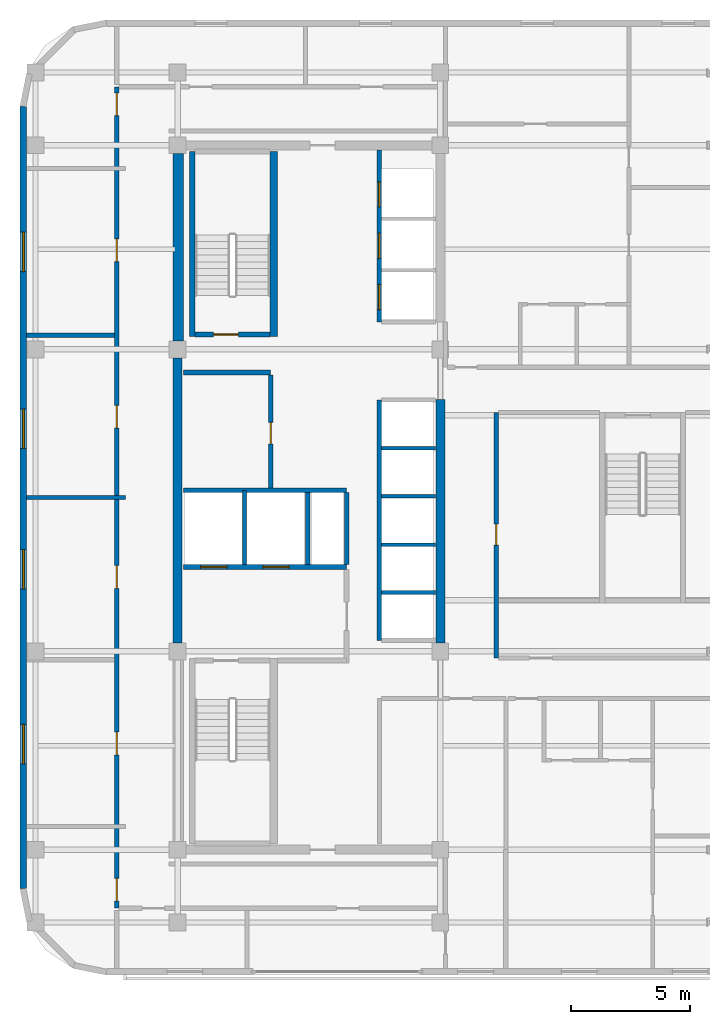
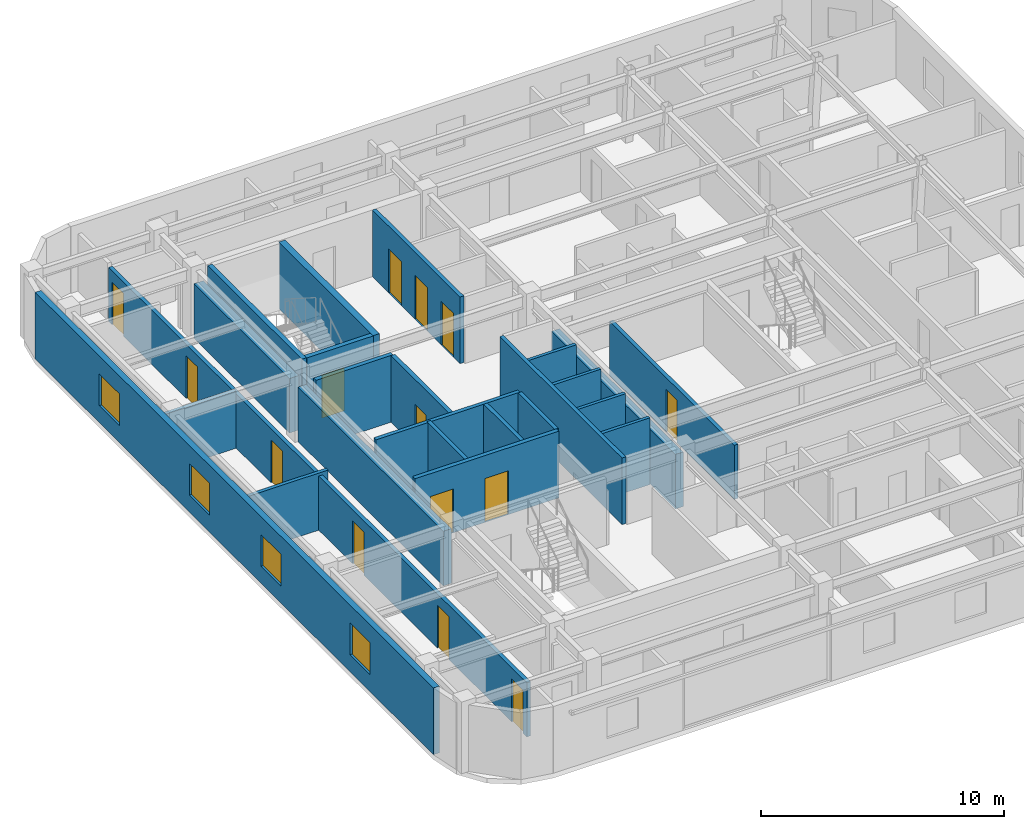
# One storey, part 5 of 11: 24 walls, 14 doors, 4 windows, 18 openings.
"""IFC4 building model written with IfcOpenShell, lengths in metres."""

from ifc_helpers import new_model, si_unit, direction, frame, frame_2d, origin, place, context, subcontext, project, spatial, rectangle, extrude, material, layer, layer_set, type_object, element, fill, save


model = new_model("IFC4")

# Units and contexts
model_context = context("Model", 3, precision=1e-05, world=origin(), true_north=direction((0.0, 1.0)))
body_context = subcontext(model_context, "Body", "Model", "MODEL_VIEW")
ifc_project = project(units=[si_unit("LENGTHUNIT", "METRE"), si_unit("AREAUNIT", "SQUARE_METRE"), si_unit("VOLUMEUNIT", "CUBIC_METRE"), si_unit("PLANEANGLEUNIT", "RADIAN"), si_unit("MASSUNIT", "GRAM", prefix="KILO")], contexts=[model_context])

# Site, building, storey
site_placement = place(None, origin())
site = spatial("IfcSite", under=ifc_project, at=site_placement, CompositionType="ELEMENT")
building_placement = place(site_placement, origin())
building = spatial("IfcBuilding", under=site, at=building_placement, Name="Ochreholt Gables", CompositionType="ELEMENT")
storey_placement = place(building_placement, frame((0.0, 0.0, 188.39990234375)))
storey = spatial("IfcBuildingStorey", under=building, at=storey_placement, Name="L49", CompositionType="ELEMENT", Elevation=188.39990234375)

# Walls
ifc_material_1 = material(Name="Concrete 50 MPa", Category="concrete")
ifc_layer_1 = layer(ifc_material_1, 0.3798828125, Name="Concrete 50 MPa")
ifc_layer_set_1 = layer_set([ifc_layer_1], Name="Concrete 50 MPa")
wall_type_1 = type_object("IfcWallType", Name="WALL-CSW-380", PredefinedType="SHEAR", material=ifc_layer_set_1)
wall_1_placement = place(storey_placement, frame((24.18994140625, 17.89990234375, 0.0), z_axis=(0.0, 0.0, 1.0), x_axis=(0.0, 1.0, 0.0)))
element("IfcWall", 1, at=wall_1_placement, inside=storey, type_object=wall_type_1, Name="L49 Core West Shear Wall WM", PredefinedType="SHEAR", context=body_context, shape_type="SweptSolid", body=[
    extrude(rectangle(XDim=11.9501953125, YDim=0.3798828125, at=frame_2d((5.97509765625, 0.0))), origin(), (0.0, 0.0, 1.0), 2.738037109375),
])
wall_2_placement = place(storey_placement, frame((35.2099609375, 17.89990234375, 0.0), z_axis=(0.0, 0.0, 1.0), x_axis=(0.0, 1.0, 0.0)))
element("IfcWall", 2, at=wall_2_placement, inside=storey, type_object=wall_type_1, Name="L49 Core Central-East Shear Wall", PredefinedType="SHEAR", context=body_context, shape_type="SweptSolid", body=[
    extrude(rectangle(XDim=10.2001953125, YDim=0.3798828125, at=frame_2d((5.10009765625, 0.0))), origin(), (0.0, 0.0, 1.0), 2.738037109375),
])
ifc_material_2 = material(Name="Concrete 60 MPa", Category="concrete")
ifc_layer_2 = layer(ifc_material_2, 0.449951171875, Name="Concrete 60 MPa")
ifc_layer_set_2 = layer_set([ifc_layer_2], Name="Concrete 60 MPa")
wall_type_2 = type_object("IfcWallType", Name="WALL-CSW-450", PredefinedType="SHEAR", material=ifc_layer_set_2)
wall_3_placement = place(storey_placement, frame((24.22509765625, 30.550048828125, 0.0), z_axis=(0.0, 0.0, 1.0), x_axis=(0.0, 1.0, 0.0)))
element("IfcWall", 3, at=wall_3_placement, inside=storey, type_object=wall_type_2, Name="L49 Core West Shear Wall WN", PredefinedType="SHEAR", context=body_context, shape_type="SweptSolid", body=[
    extrude(rectangle(XDim=7.849853515625, YDim=0.449951171875, at=frame_2d((3.9248046875, 0.0))), origin(), (0.0, 0.0, 1.0), 2.738037109375),
])

# Wall, openings, windows
ifc_material_3 = material(Name="Precast concrete 40 MPa", Category="concrete")
ifc_layer_3 = layer(ifc_material_3, 0.280029296875, Name="Precast concrete 40 MPa")
ifc_layer_set_3 = layer_set([ifc_layer_3], Name="Precast concrete 40 MPa")
wall_type_3 = type_object("IfcWallType", Name="WALL-EXT-280", PredefinedType="SOLIDWALL", material=ifc_layer_set_3)
wall_4_placement = place(storey_placement, frame((17.739990234375, 40.3798828125, 0.0), z_axis=(0.0, 0.0, 1.0), x_axis=(0.0, -1.0, 0.0)))
wall_4 = element("IfcWall", 4, at=wall_4_placement, inside=storey, type_object=wall_type_3, Name="L49 West Exterior Wall", PredefinedType="SOLIDWALL", context=body_context, shape_type="SweptSolid", body=[
    extrude(rectangle(XDim=32.759765625, YDim=0.280029296875, at=frame_2d((16.3798828125, 0.0))), origin(), (0.0, 0.0, 1.0), 3.35009765625),
])
opening_1_placement = place(wall_4_placement, frame((25.887451171875, 0.0, 0.85009765625)))
opening_1 = element("IfcOpeningElement", 5, at=opening_1_placement, cuts=wall_4, Name="Opening WN-7", PredefinedType="OPENING", context=body_context, shape_type="SweptSolid", body=[
    extrude(rectangle(XDim=1.64990234375, YDim=1.60009765625, at=frame_2d((0.824951171875, 0.800048828125))), frame((0.0, 0.14990234375, 0.0), z_axis=(0.0, -1.0, 0.0), x_axis=(1.0, 0.0, 0.0)), (0.0, 0.0, 1.0), 0.300048828125),
])
opening_2_placement = place(wall_4_placement, frame((18.56005859375, 0.0, 0.85009765625)))
opening_2 = element("IfcOpeningElement", 6, at=opening_2_placement, cuts=wall_4, Name="Opening WN-7", PredefinedType="OPENING", context=body_context, shape_type="SweptSolid", body=[
    extrude(rectangle(XDim=1.64990234375, YDim=1.60009765625, at=frame_2d((0.824951171875, 0.800048828125))), frame((0.0, 0.14990234375, 0.0), z_axis=(0.0, -1.0, 0.0), x_axis=(1.0, 0.0, 0.0)), (0.0, 0.0, 1.0), 0.300048828125),
])
opening_3_placement = place(wall_4_placement, frame((12.675048828125, 0.0, 0.85009765625)))
opening_3 = element("IfcOpeningElement", 7, at=opening_3_placement, cuts=wall_4, Name="Opening WN-7", PredefinedType="OPENING", context=body_context, shape_type="SweptSolid", body=[
    extrude(rectangle(XDim=1.64990234375, YDim=1.60009765625, at=frame_2d((0.824951171875, 0.800048828125))), frame((0.0, 0.14990234375, 0.0), z_axis=(0.0, -1.0, 0.0), x_axis=(1.0, 0.0, 0.0)), (0.0, 0.0, 1.0), 0.300048828125),
])
opening_4_placement = place(wall_4_placement, frame((5.267578125, 0.0, 0.85009765625)))
opening_4 = element("IfcOpeningElement", 8, at=opening_4_placement, cuts=wall_4, Name="Opening WN-7", PredefinedType="OPENING", context=body_context, shape_type="SweptSolid", body=[
    extrude(rectangle(XDim=1.64990234375, YDim=1.60009765625, at=frame_2d((0.824951171875, 0.800048828125))), frame((0.0, 0.14990234375, 0.0), z_axis=(0.0, -1.0, 0.0), x_axis=(1.0, 0.0, 0.0)), (0.0, 0.0, 1.0), 0.300048828125),
])
ifc_material_4 = material(Name="Triple-Glazed Thermally Broken Aluminium Window", Category="aluminium")
window_type = type_object("IfcWindowType", Name="WIN-RES-1650", PartitioningType="SINGLE_PANEL", PredefinedType="WINDOW", material=ifc_material_4)
window_1_placement = place(opening_1_placement, origin())
window_1 = element("IfcWindow", 9, at=window_1_placement, inside=storey, type_object=window_type, Name="L49 Window W-EXT-W-L49-1", OverallHeight=1.60009765625, OverallWidth=1.64990234375, PartitioningType="SINGLE_PANEL", PredefinedType="WINDOW", context=body_context, shape_type="SweptSolid", body=[
    extrude(rectangle(XDim=1.64990234375, YDim=1.60009765625, at=frame_2d((0.824951171875, 0.800048828125))), frame((0.0, 0.030029296875, 0.0), z_axis=(0.0, -1.0, 0.0), x_axis=(1.0, 0.0, 0.0)), (0.0, 0.0, 1.0), 0.06005859375),
])
fill(opening_1, window_1)
window_2_placement = place(opening_2_placement, origin())
window_2 = element("IfcWindow", 10, at=window_2_placement, inside=storey, type_object=window_type, Name="L49 Window W-EXT-W-L49-2", OverallHeight=1.60009765625, OverallWidth=1.64990234375, PartitioningType="SINGLE_PANEL", PredefinedType="WINDOW", context=body_context, shape_type="SweptSolid", body=[
    extrude(rectangle(XDim=1.64990234375, YDim=1.60009765625, at=frame_2d((0.824951171875, 0.800048828125))), frame((0.0, 0.030029296875, 0.0), z_axis=(0.0, -1.0, 0.0), x_axis=(1.0, 0.0, 0.0)), (0.0, 0.0, 1.0), 0.06005859375),
])
fill(opening_2, window_2)
window_3_placement = place(opening_3_placement, origin())
window_3 = element("IfcWindow", 11, at=window_3_placement, inside=storey, type_object=window_type, Name="L49 Window W-EXT-W-L49-3", OverallHeight=1.60009765625, OverallWidth=1.64990234375, PartitioningType="SINGLE_PANEL", PredefinedType="WINDOW", context=body_context, shape_type="SweptSolid", body=[
    extrude(rectangle(XDim=1.64990234375, YDim=1.60009765625, at=frame_2d((0.824951171875, 0.800048828125))), frame((0.0, 0.030029296875, 0.0), z_axis=(0.0, -1.0, 0.0), x_axis=(1.0, 0.0, 0.0)), (0.0, 0.0, 1.0), 0.06005859375),
])
fill(opening_3, window_3)
window_4_placement = place(opening_4_placement, origin())
window_4 = element("IfcWindow", 12, at=window_4_placement, inside=storey, type_object=window_type, Name="L49 Window W-EXT-W-L49-4", OverallHeight=1.60009765625, OverallWidth=1.64990234375, PartitioningType="SINGLE_PANEL", PredefinedType="WINDOW", context=body_context, shape_type="SweptSolid", body=[
    extrude(rectangle(XDim=1.64990234375, YDim=1.60009765625, at=frame_2d((0.824951171875, 0.800048828125))), frame((0.0, 0.030029296875, 0.0), z_axis=(0.0, -1.0, 0.0), x_axis=(1.0, 0.0, 0.0)), (0.0, 0.0, 1.0), 0.06005859375),
])
fill(opening_4, window_4)

# Wall, openings, doors
ifc_material_5 = material(Name="Concrete 40 MPa", Category="concrete")
ifc_layer_4 = layer(ifc_material_5, 0.199951171875, Name="Concrete 40 MPa")
ifc_layer_set_4 = layer_set([ifc_layer_4], Name="Concrete 40 MPa")
wall_type_4 = type_object("IfcWallType", Name="WALL-INT-CF200", PredefinedType="STANDARD", material=ifc_layer_set_4)
wall_5_placement = place(storey_placement, frame((24.449951171875, 21.090087890625, 0.0), z_axis=(0.0, 0.0, 1.0), x_axis=(1.0, 0.0, 0.0)))
wall_5 = element("IfcWall", 13, at=wall_5_placement, inside=storey, type_object=wall_type_4, Name="L49 Interior Wall WI-FFN-L49", PredefinedType="STANDARD", context=body_context, shape_type="SweptSolid", body=[
    extrude(rectangle(XDim=6.830078125, YDim=0.199951171875, at=frame_2d((3.4150390625, 0.0))), origin(), (0.0, 0.0, 1.0), 3.35009765625),
])
opening_5_placement = place(wall_5_placement, frame((0.719970703125, 0.0, 0.0)))
opening_5 = element("IfcOpeningElement", 14, at=opening_5_placement, cuts=wall_5, Name="Opening LD-FF", PredefinedType="OPENING", context=body_context, shape_type="SweptSolid", body=[
    extrude(rectangle(XDim=1.10009765625, YDim=2.199951171875, at=frame_2d((0.550048828125, 1.10009765625))), frame((0.0, 0.10986328125, 0.0), z_axis=(0.0, -1.0, 0.0), x_axis=(1.0, 0.0, 0.0)), (0.0, 0.0, 1.0), 0.219970703125),
])
opening_6_placement = place(wall_5_placement, frame((3.320068359375, 0.0, 0.0)))
opening_6 = element("IfcOpeningElement", 15, at=opening_6_placement, cuts=wall_5, Name="Opening LD-FF", PredefinedType="OPENING", context=body_context, shape_type="SweptSolid", body=[
    extrude(rectangle(XDim=1.10009765625, YDim=2.199951171875, at=frame_2d((0.550048828125, 1.10009765625))), frame((0.0, 0.10986328125, 0.0), z_axis=(0.0, -1.0, 0.0), x_axis=(1.0, 0.0, 0.0)), (0.0, 0.0, 1.0), 0.219970703125),
])
ifc_material_6 = material(Name="Stainless Steel", Category="steel")
door_type_1 = type_object("IfcDoorType", Name="DR-LFT-FF1100", OperationType="NOTDEFINED", PredefinedType="DOOR", material=ifc_material_6)
door_1_placement = place(opening_5_placement, origin())
door_1 = element("IfcDoor", 16, at=door_1_placement, inside=storey, type_object=door_type_1, Name="L49 Door LD-FF1-L49", OperationType="SLIDING_TO_LEFT", OverallHeight=2.199951171875, OverallWidth=1.10009765625, PredefinedType="DOOR", context=body_context, shape_type="SweptSolid", body=[
    extrude(rectangle(XDim=1.10009765625, YDim=2.199951171875, at=frame_2d((0.550048828125, 1.10009765625))), frame((0.0, 0.02490234375, 0.0), z_axis=(0.0, -1.0, 0.0), x_axis=(1.0, 0.0, 0.0)), (0.0, 0.0, 1.0), 0.050048828125),
])
fill(opening_5, door_1)
door_2_placement = place(opening_6_placement, origin())
door_2 = element("IfcDoor", 17, at=door_2_placement, inside=storey, type_object=door_type_1, Name="L49 Door LD-FF2-L49", OperationType="SLIDING_TO_LEFT", OverallHeight=2.199951171875, OverallWidth=1.10009765625, PredefinedType="DOOR", context=body_context, shape_type="SweptSolid", body=[
    extrude(rectangle(XDim=1.10009765625, YDim=2.199951171875, at=frame_2d((0.550048828125, 1.10009765625))), frame((0.0, 0.02490234375, 0.0), z_axis=(0.0, -1.0, 0.0), x_axis=(1.0, 0.0, 0.0)), (0.0, 0.0, 1.0), 0.050048828125),
])
fill(opening_6, door_2)

# Wall
wall_6_placement = place(storey_placement, frame((24.449951171875, 29.239990234375, 0.0), z_axis=(0.0, 0.0, 1.0), x_axis=(1.0, 0.0, 0.0)))
element("IfcWall", 18, at=wall_6_placement, inside=storey, type_object=wall_type_4, Name="L49 Interior Wall WI-SRVN-L49", PredefinedType="STANDARD", context=body_context, shape_type="SweptSolid", body=[
    extrude(rectangle(XDim=3.650146484375, YDim=0.199951171875, at=frame_2d((1.8251953125, 0.0))), origin(), (0.0, 0.0, 1.0), 3.35009765625),
])

# Wall, opening, door
wall_7_placement = place(storey_placement, frame((28.10009765625, 24.389892578125, 0.0), z_axis=(0.0, 0.0, 1.0), x_axis=(0.0, 1.0, 0.0)))
wall_7 = element("IfcWall", 19, at=wall_7_placement, inside=storey, type_object=wall_type_4, Name="L49 Interior Wall WI-SRVE-L49", PredefinedType="STANDARD", context=body_context, shape_type="SweptSolid", body=[
    extrude(rectangle(XDim=4.75, YDim=0.199951171875, at=frame_2d((2.375, 0.0))), origin(), (0.0, 0.0, 1.0), 3.35009765625),
])
opening_7_placement = place(wall_7_placement, frame((1.860107421875, 0.0, 0.0)))
opening_7 = element("IfcOpeningElement", 20, at=opening_7_placement, cuts=wall_7, Name="Opening D-SV1", PredefinedType="OPENING", context=body_context, shape_type="SweptSolid", body=[
    extrude(rectangle(XDim=0.89990234375, YDim=2.10009765625, at=frame_2d((0.449951171875, 1.050048828125))), frame((0.0, 0.10986328125, 0.0), z_axis=(0.0, -1.0, 0.0), x_axis=(1.0, 0.0, 0.0)), (0.0, 0.0, 1.0), 0.219970703125),
])
ifc_material_7 = material(Name="Hollow Metal Steel", Category="steel")
door_type_2 = type_object("IfcDoorType", Name="DR-INT-SRV900", OperationType="NOTDEFINED", PredefinedType="DOOR", material=ifc_material_7)
door_3_placement = place(opening_7_placement, origin())
door_3 = element("IfcDoor", 21, at=door_3_placement, inside=storey, type_object=door_type_2, Name="L49 Door D-SRV1-L49", OperationType="SINGLE_SWING_LEFT", OverallHeight=2.10009765625, OverallWidth=0.89990234375, PredefinedType="DOOR", context=body_context, shape_type="SweptSolid", body=[
    extrude(rectangle(XDim=0.89990234375, YDim=2.10009765625, at=frame_2d((0.449951171875, 1.050048828125))), frame((0.0, 0.02490234375, 0.0), z_axis=(0.0, -1.0, 0.0), x_axis=(1.0, 0.0, 0.0)), (0.0, 0.0, 1.0), 0.050048828125),
])
fill(opening_7, door_3)

ifc_material_8 = material(Name="Fire-Rated Gypsum Acoustic Partition", Category="gypsum")
ifc_layer_5 = layer(ifc_material_8, 0.179931640625, Name="Fire-Rated Gypsum Acoustic Partition")
ifc_layer_set_5 = layer_set([ifc_layer_5], Name="Fire-Rated Gypsum Acoustic Partition")
wall_type_5 = type_object("IfcWallType", Name="WALL-INT-CR180", PredefinedType="STANDARD", material=ifc_layer_set_5)
wall_8_placement = place(storey_placement, frame((37.550048828125, 17.280029296875, 0.0), z_axis=(0.0, 0.0, 1.0), x_axis=(0.0, 1.0, 0.0)))
wall_8 = element("IfcWall", 22, at=wall_8_placement, inside=storey, type_object=wall_type_5, Name="L49 Interior Wall WI-C2EM-L49", PredefinedType="STANDARD", context=body_context, shape_type="SweptSolid", body=[
    extrude(rectangle(XDim=10.280029296875, YDim=0.179931640625, at=frame_2d((5.14013671875, 0.0))), origin(), (0.0, 0.0, 1.0), 2.72021484375),
])
opening_8_placement = place(wall_8_placement, frame((4.719970703125, 0.0, 0.0)))
opening_8 = element("IfcOpeningElement", 23, at=opening_8_placement, cuts=wall_8, Name="Opening D-GN2", PredefinedType="OPENING", context=body_context, shape_type="SweptSolid", body=[
    extrude(rectangle(XDim=0.8798828125, YDim=2.1201171875, at=frame_2d((0.43994140625, 1.06005859375))), frame((0.0, 0.099853515625, 0.0), z_axis=(0.0, -1.0, 0.0), x_axis=(1.0, 0.0, 0.0)), (0.0, 0.0, 1.0), 0.199951171875),
])
ifc_material_9 = material(Name="Engineered Oak Timber", Category="wood")
door_type_3 = type_object("IfcDoorType", Name="DR-INT-GEN880", OperationType="NOTDEFINED", PredefinedType="DOOR", material=ifc_material_9)
door_4_placement = place(opening_8_placement, origin())
door_4 = element("IfcDoor", 24, at=door_4_placement, inside=storey, type_object=door_type_3, Name="L49 Door D-C2FMW-L49", OperationType="SINGLE_SWING_RIGHT", OverallHeight=2.1201171875, OverallWidth=0.8798828125, PredefinedType="DOOR", context=body_context, shape_type="SweptSolid", body=[
    extrude(rectangle(XDim=0.8798828125, YDim=2.1201171875, at=frame_2d((0.43994140625, 1.06005859375))), frame((0.0, 0.02490234375, 0.0), z_axis=(0.0, -1.0, 0.0), x_axis=(1.0, 0.0, 0.0)), (0.0, 0.0, 1.0), 0.050048828125),
])
fill(opening_8, door_4)

# Wall, openings, doors
wall_9_placement = place(storey_placement, frame((21.64990234375, 6.800048828125, 0.0), z_axis=(0.0, 0.0, 1.0), x_axis=(0.0, 1.0, 0.0)))
wall_9 = element("IfcWall", 25, at=wall_9_placement, inside=storey, type_object=wall_type_5, Name="L49 Interior Wall WI-C2WCW-L49", PredefinedType="STANDARD", context=body_context, shape_type="SweptSolid", body=[
    extrude(rectangle(XDim=34.39990234375, YDim=0.179931640625, at=frame_2d((17.199951171875, 0.0))), origin(), (0.0, 0.0, 1.0), 2.72021484375),
])
opening_9_placement = place(wall_9_placement, frame((0.300048828125, 0.0, 0.0)))
opening_9 = element("IfcOpeningElement", 26, at=opening_9_placement, cuts=wall_9, Name="Opening D-GN1", PredefinedType="OPENING", context=body_context, shape_type="SweptSolid", body=[
    extrude(rectangle(XDim=0.949951171875, YDim=2.14990234375, at=frame_2d((0.47509765625, 1.074951171875))), frame((0.0, 0.099853515625, 0.0), z_axis=(0.0, -1.0, 0.0), x_axis=(1.0, 0.0, 0.0)), (0.0, 0.0, 1.0), 0.199951171875),
])
opening_10_placement = place(wall_9_placement, frame((6.41748046875, 0.0, 0.0)))
opening_10 = element("IfcOpeningElement", 27, at=opening_10_placement, cuts=wall_9, Name="Opening D-GN1", PredefinedType="OPENING", context=body_context, shape_type="SweptSolid", body=[
    extrude(rectangle(XDim=0.949951171875, YDim=2.14990234375, at=frame_2d((0.47509765625, 1.074951171875))), frame((0.0, 0.099853515625, 0.0), z_axis=(0.0, -1.0, 0.0), x_axis=(1.0, 0.0, 0.0)), (0.0, 0.0, 1.0), 0.199951171875),
])
opening_11_placement = place(wall_9_placement, frame((13.39501953125, 0.0, 0.0)))
opening_11 = element("IfcOpeningElement", 28, at=opening_11_placement, cuts=wall_9, Name="Opening D-GN1", PredefinedType="OPENING", context=body_context, shape_type="SweptSolid", body=[
    extrude(rectangle(XDim=0.949951171875, YDim=2.14990234375, at=frame_2d((0.47509765625, 1.074951171875))), frame((0.0, 0.099853515625, 0.0), z_axis=(0.0, -1.0, 0.0), x_axis=(1.0, 0.0, 0.0)), (0.0, 0.0, 1.0), 0.199951171875),
])
opening_12_placement = place(wall_9_placement, frame((20.10498046875, 0.0, 0.0)))
opening_12 = element("IfcOpeningElement", 29, at=opening_12_placement, cuts=wall_9, Name="Opening D-GN1", PredefinedType="OPENING", context=body_context, shape_type="SweptSolid", body=[
    extrude(rectangle(XDim=0.949951171875, YDim=2.14990234375, at=frame_2d((0.47509765625, 1.074951171875))), frame((0.0, 0.099853515625, 0.0), z_axis=(0.0, -1.0, 0.0), x_axis=(1.0, 0.0, 0.0)), (0.0, 0.0, 1.0), 0.199951171875),
])
opening_13_placement = place(wall_9_placement, frame((27.08251953125, 0.0, 0.0)))
opening_13 = element("IfcOpeningElement", 30, at=opening_13_placement, cuts=wall_9, Name="Opening D-GN1", PredefinedType="OPENING", context=body_context, shape_type="SweptSolid", body=[
    extrude(rectangle(XDim=0.949951171875, YDim=2.14990234375, at=frame_2d((0.47509765625, 1.074951171875))), frame((0.0, 0.099853515625, 0.0), z_axis=(0.0, -1.0, 0.0), x_axis=(1.0, 0.0, 0.0)), (0.0, 0.0, 1.0), 0.199951171875),
])
opening_14_placement = place(wall_9_placement, frame((33.18994140625, 0.0, 0.0)))
opening_14 = element("IfcOpeningElement", 31, at=opening_14_placement, cuts=wall_9, Name="Opening D-GN1", PredefinedType="OPENING", context=body_context, shape_type="SweptSolid", body=[
    extrude(rectangle(XDim=0.949951171875, YDim=2.14990234375, at=frame_2d((0.47509765625, 1.074951171875))), frame((0.0, 0.099853515625, 0.0), z_axis=(0.0, -1.0, 0.0), x_axis=(1.0, 0.0, 0.0)), (0.0, 0.0, 1.0), 0.199951171875),
])
door_type_4 = type_object("IfcDoorType", Name="DR-INT-GEN950", OperationType="NOTDEFINED", PredefinedType="DOOR", material=ifc_material_9)
door_5_placement = place(opening_9_placement, origin())
door_5 = element("IfcDoor", 32, at=door_5_placement, inside=storey, type_object=door_type_4, Name="L49 Door D-U-L49W1A-ENT", OperationType="SINGLE_SWING_LEFT", OverallHeight=2.14990234375, OverallWidth=0.949951171875, PredefinedType="DOOR", context=body_context, shape_type="SweptSolid", body=[
    extrude(rectangle(XDim=0.949951171875, YDim=2.14990234375, at=frame_2d((0.47509765625, 1.074951171875))), frame((0.0, 0.02490234375, 0.0), z_axis=(0.0, -1.0, 0.0), x_axis=(1.0, 0.0, 0.0)), (0.0, 0.0, 1.0), 0.050048828125),
])
fill(opening_9, door_5)
door_6_placement = place(opening_10_placement, origin())
door_6 = element("IfcDoor", 33, at=door_6_placement, inside=storey, type_object=door_type_4, Name="L49 Door D-U-L49W1B-ENT", OperationType="SINGLE_SWING_RIGHT", OverallHeight=2.14990234375, OverallWidth=0.949951171875, PredefinedType="DOOR", context=body_context, shape_type="SweptSolid", body=[
    extrude(rectangle(XDim=0.949951171875, YDim=2.14990234375, at=frame_2d((0.47509765625, 1.074951171875))), frame((0.0, 0.02490234375, 0.0), z_axis=(0.0, -1.0, 0.0), x_axis=(1.0, 0.0, 0.0)), (0.0, 0.0, 1.0), 0.050048828125),
])
fill(opening_10, door_6)
door_7_placement = place(opening_11_placement, origin())
door_7 = element("IfcDoor", 34, at=door_7_placement, inside=storey, type_object=door_type_4, Name="L49 Door D-U-L49W2A-ENT", OperationType="SINGLE_SWING_RIGHT", OverallHeight=2.14990234375, OverallWidth=0.949951171875, PredefinedType="DOOR", context=body_context, shape_type="SweptSolid", body=[
    extrude(rectangle(XDim=0.949951171875, YDim=2.14990234375, at=frame_2d((0.47509765625, 1.074951171875))), frame((0.0, 0.02490234375, 0.0), z_axis=(0.0, -1.0, 0.0), x_axis=(1.0, 0.0, 0.0)), (0.0, 0.0, 1.0), 0.050048828125),
])
fill(opening_11, door_7)
door_8_placement = place(opening_12_placement, origin())
door_8 = element("IfcDoor", 35, at=door_8_placement, inside=storey, type_object=door_type_4, Name="L49 Door D-U-L49W2B-ENT", OperationType="SINGLE_SWING_LEFT", OverallHeight=2.14990234375, OverallWidth=0.949951171875, PredefinedType="DOOR", context=body_context, shape_type="SweptSolid", body=[
    extrude(rectangle(XDim=0.949951171875, YDim=2.14990234375, at=frame_2d((0.47509765625, 1.074951171875))), frame((0.0, 0.02490234375, 0.0), z_axis=(0.0, -1.0, 0.0), x_axis=(1.0, 0.0, 0.0)), (0.0, 0.0, 1.0), 0.050048828125),
])
fill(opening_12, door_8)
door_9_placement = place(opening_13_placement, origin())
door_9 = element("IfcDoor", 36, at=door_9_placement, inside=storey, type_object=door_type_4, Name="L49 Door D-U-L49W3A-ENT", OperationType="SINGLE_SWING_LEFT", OverallHeight=2.14990234375, OverallWidth=0.949951171875, PredefinedType="DOOR", context=body_context, shape_type="SweptSolid", body=[
    extrude(rectangle(XDim=0.949951171875, YDim=2.14990234375, at=frame_2d((0.47509765625, 1.074951171875))), frame((0.0, 0.02490234375, 0.0), z_axis=(0.0, -1.0, 0.0), x_axis=(1.0, 0.0, 0.0)), (0.0, 0.0, 1.0), 0.050048828125),
])
fill(opening_13, door_9)
door_10_placement = place(opening_14_placement, origin())
door_10 = element("IfcDoor", 37, at=door_10_placement, inside=storey, type_object=door_type_4, Name="L49 Door D-U-L49W3B-ENT", OperationType="SINGLE_SWING_RIGHT", OverallHeight=2.14990234375, OverallWidth=0.949951171875, PredefinedType="DOOR", context=body_context, shape_type="SweptSolid", body=[
    extrude(rectangle(XDim=0.949951171875, YDim=2.14990234375, at=frame_2d((0.47509765625, 1.074951171875))), frame((0.0, 0.02490234375, 0.0), z_axis=(0.0, -1.0, 0.0), x_axis=(1.0, 0.0, 0.0)), (0.0, 0.0, 1.0), 0.050048828125),
])
fill(opening_14, door_10)

# Walls
ifc_material_10 = material(Name="Double-Stud Acoustic Demising Wall", Category="gypsum")
ifc_layer_6 = layer(ifc_material_10, 0.179931640625, Name="Double-Stud Acoustic Demising Wall")
ifc_layer_set_6 = layer_set([ifc_layer_6], Name="Double-Stud Acoustic Demising Wall")
wall_type_6 = type_object("IfcWallType", Name="WALL-INT-DM180", PredefinedType="PARTITIONING", material=ifc_layer_set_6)
wall_10_placement = place(storey_placement, frame((17.8798828125, 30.800048828125, 0.0), z_axis=(0.0, 0.0, 1.0), x_axis=(1.0, 0.0, 0.0)))
element("IfcWall", 38, at=wall_10_placement, inside=storey, type_object=wall_type_6, Name="L49 Interior Wall WI-C2UDW3-L49", PredefinedType="PARTITIONING", context=body_context, shape_type="SweptSolid", body=[
    extrude(rectangle(XDim=3.68017578125, YDim=0.179931640625, at=frame_2d((1.840087890625, 0.0))), origin(), (0.0, 0.0, 1.0), 2.869140625),
])
ifc_material_11 = material(Name="Gypsum Acoustic Stud Partition", Category="gypsum")
ifc_layer_7 = layer(ifc_material_11, 0.1650390625, Name="Gypsum Acoustic Stud Partition")
ifc_layer_set_7 = layer_set([ifc_layer_7], Name="Gypsum Acoustic Stud Partition")
wall_type_7 = type_object("IfcWallType", Name="WALL-INT-PT165", PredefinedType="PARTITIONING", material=ifc_layer_set_7)
wall_11_placement = place(storey_placement, frame((17.8798828125, 24.0, 0.0), z_axis=(0.0, 0.0, 1.0), x_axis=(1.0, 0.0, 0.0)))
element("IfcWall", 39, at=wall_11_placement, inside=storey, type_object=wall_type_7, Name="L49 Interior Wall WU-L49W2-SDV", PredefinedType="PARTITIONING", context=body_context, shape_type="SweptSolid", body=[
    extrude(rectangle(XDim=4.130126953125, YDim=0.1650390625, at=frame_2d((2.06494140625, 0.0))), origin(), (0.0, 0.0, 1.0), 2.869140625),
])
ifc_material_12 = material(Name="Gypsum Shaftliner and Steel Stud", Category="steel")
ifc_layer_8 = layer(ifc_material_12, 0.14990234375, Name="Gypsum Shaftliner and Steel Stud")
ifc_layer_set_8 = layer_set([ifc_layer_8], Name="Gypsum Shaftliner and Steel Stud")
wall_type_8 = type_object("IfcWallType", Name="WALL-INT-SH150", PredefinedType="STANDARD", material=ifc_layer_set_8)
for number, where, z_axis, x_axis, name in (
    (40, (32.739990234375, 20.02001953125, 0.0), (0.0, 0.0, 1.0), (1.0, 0.0, 0.0), "L49 Interior Wall WI-LFHE-DH1-L49"),
    (41, (32.739990234375, 22.02001953125, 0.0), (0.0, 0.0, 1.0), (1.0, 0.0, 0.0), "L49 Interior Wall WI-LFHE-DH2-L49"),
    (42, (32.739990234375, 24.050048828125, 0.0), (0.0, 0.0, 1.0), (1.0, 0.0, 0.0), "L49 Interior Wall WI-LFHE-DHE-L49"),
    (43, (32.739990234375, 26.070068359375, 0.0), (0.0, 0.0, 1.0), (1.0, 0.0, 0.0), "L49 Interior Wall WI-LFHE-DEX1-L49"),
):
    element("IfcWall", number, at=place(storey_placement, frame(where, z_axis=z_axis, x_axis=x_axis)), inside=storey, type_object=wall_type_8, Name=name, PredefinedType="STANDARD", context=body_context, shape_type="SweptSolid", body=[
        extrude(rectangle(XDim=2.260009765625, YDim=0.14990234375, at=frame_2d((1.1298828125, 0.0))), origin(), (0.0, 0.0, 1.0), 3.35009765625),
    ])
ifc_layer_9 = layer(ifc_material_12, 0.179931640625, Name="Gypsum Shaftliner and Steel Stud")
ifc_layer_set_9 = layer_set([ifc_layer_9], Name="Gypsum Shaftliner and Steel Stud")
wall_type_9 = type_object("IfcWallType", Name="WALL-INT-SH180", PredefinedType="STANDARD", material=ifc_layer_set_9)
wall_12_placement = place(storey_placement, frame((27.0, 21.18994140625, 0.0), z_axis=(0.0, 0.0, 1.0), x_axis=(0.0, 1.0, 0.0)))
element("IfcWall", 44, at=wall_12_placement, inside=storey, type_object=wall_type_9, Name="L49 Interior Wall WI-FFDIV-L49", PredefinedType="STANDARD", context=body_context, shape_type="SweptSolid", body=[
    extrude(rectangle(XDim=3.110107421875, YDim=0.179931640625, at=frame_2d((1.55517578125, 0.0))), origin(), (0.0, 0.0, 1.0), 3.35009765625),
])
wall_13_placement = place(storey_placement, frame((24.449951171875, 24.300048828125, 0.0), z_axis=(0.0, 0.0, 1.0), x_axis=(1.0, 0.0, 0.0)))
element("IfcWall", 45, at=wall_13_placement, inside=storey, type_object=wall_type_9, Name="L49 Interior Wall WI-FFBK-L49", PredefinedType="STANDARD", context=body_context, shape_type="SweptSolid", body=[
    extrude(rectangle(XDim=6.830078125, YDim=0.179931640625, at=frame_2d((3.4150390625, 0.0))), origin(), (0.0, 0.0, 1.0), 3.35009765625),
])
for number, where, z_axis, x_axis, name in (
    (46, (29.64990234375, 21.18994140625, 0.0), (0.0, 0.0, 1.0), (0.0, 1.0, 0.0), "L49 Interior Wall WI-FFSH-L49"),
    (47, (31.280029296875, 21.18994140625, 0.0), (0.0, 0.0, 1.0), (0.0, 1.0, 0.0), "L49 Interior Wall WI-RSE-L49"),
):
    element("IfcWall", number, at=place(storey_placement, frame(where, z_axis=z_axis, x_axis=x_axis)), inside=storey, type_object=wall_type_9, Name=name, PredefinedType="STANDARD", context=body_context, shape_type="SweptSolid", body=[
        extrude(rectangle(XDim=3.02001953125, YDim=0.179931640625, at=frame_2d((1.510009765625, 0.0))), origin(), (0.0, 0.0, 1.0), 3.35009765625),
    ])
wall_14_placement = place(storey_placement, frame((32.64990234375, 18.02001953125, 0.0), z_axis=(0.0, 0.0, 1.0), x_axis=(0.0, 1.0, 0.0)))
element("IfcWall", 48, at=wall_14_placement, inside=storey, type_object=wall_type_9, Name="L49 Interior Wall WI-LFHE-FR-L49", PredefinedType="STANDARD", context=body_context, shape_type="SweptSolid", body=[
    extrude(rectangle(XDim=10.06005859375, YDim=0.179931640625, at=frame_2d((5.030029296875, 0.0))), origin(), (0.0, 0.0, 1.0), 3.35009765625),
])

# Wall, openings, doors
wall_15_placement = place(storey_placement, frame((32.64990234375, 31.35009765625, 0.0), z_axis=(0.0, 0.0, 1.0), x_axis=(0.0, 1.0, 0.0)))
wall_15 = element("IfcWall", 49, at=wall_15_placement, inside=storey, type_object=wall_type_9, Name="L49 Interior Wall WI-LFM-FR-L49", PredefinedType="STANDARD", context=body_context, shape_type="SweptSolid", body=[
    extrude(rectangle(XDim=7.2099609375, YDim=0.179931640625, at=frame_2d((3.60498046875, 0.0))), origin(), (0.0, 0.0, 1.0), 3.35009765625),
])
opening_15_placement = place(wall_15_placement, frame((0.52001953125, 0.0, 0.0)))
opening_15 = element("IfcOpeningElement", 50, at=opening_15_placement, cuts=wall_15, Name="Opening LD-PX", PredefinedType="OPENING", context=body_context, shape_type="SweptSolid", body=[
    extrude(rectangle(XDim=1.050048828125, YDim=2.199951171875, at=frame_2d((0.52490234375, 1.10009765625))), frame((0.0, 0.099853515625, 0.0), z_axis=(0.0, -1.0, 0.0), x_axis=(1.0, 0.0, 0.0)), (0.0, 0.0, 1.0), 0.199951171875),
])
opening_16_placement = place(wall_15_placement, frame((2.669921875, 0.0, 0.0)))
opening_16 = element("IfcOpeningElement", 51, at=opening_16_placement, cuts=wall_15, Name="Opening LD-PX", PredefinedType="OPENING", context=body_context, shape_type="SweptSolid", body=[
    extrude(rectangle(XDim=1.050048828125, YDim=2.199951171875, at=frame_2d((0.52490234375, 1.10009765625))), frame((0.0, 0.099853515625, 0.0), z_axis=(0.0, -1.0, 0.0), x_axis=(1.0, 0.0, 0.0)), (0.0, 0.0, 1.0), 0.199951171875),
])
opening_17_placement = place(wall_15_placement, frame((4.820068359375, 0.0, 0.0)))
opening_17 = element("IfcOpeningElement", 52, at=opening_17_placement, cuts=wall_15, Name="Opening LD-PX", PredefinedType="OPENING", context=body_context, shape_type="SweptSolid", body=[
    extrude(rectangle(XDim=1.050048828125, YDim=2.199951171875, at=frame_2d((0.52490234375, 1.10009765625))), frame((0.0, 0.099853515625, 0.0), z_axis=(0.0, -1.0, 0.0), x_axis=(1.0, 0.0, 0.0)), (0.0, 0.0, 1.0), 0.199951171875),
])
door_type_5 = type_object("IfcDoorType", Name="DR-LFT-PX1050", OperationType="NOTDEFINED", PredefinedType="DOOR", material=ifc_material_6)
door_11_placement = place(opening_15_placement, origin())
door_11 = element("IfcDoor", 53, at=door_11_placement, inside=storey, type_object=door_type_5, Name="L49 Door LD-M1-L49", OperationType="SLIDING_TO_LEFT", OverallHeight=2.199951171875, OverallWidth=1.050048828125, PredefinedType="DOOR", context=body_context, shape_type="SweptSolid", body=[
    extrude(rectangle(XDim=1.050048828125, YDim=2.199951171875, at=frame_2d((0.52490234375, 1.10009765625))), frame((0.0, 0.02490234375, 0.0), z_axis=(0.0, -1.0, 0.0), x_axis=(1.0, 0.0, 0.0)), (0.0, 0.0, 1.0), 0.050048828125),
])
fill(opening_15, door_11)
door_12_placement = place(opening_16_placement, origin())
door_12 = element("IfcDoor", 54, at=door_12_placement, inside=storey, type_object=door_type_5, Name="L49 Door LD-M2-L49", OperationType="SLIDING_TO_LEFT", OverallHeight=2.199951171875, OverallWidth=1.050048828125, PredefinedType="DOOR", context=body_context, shape_type="SweptSolid", body=[
    extrude(rectangle(XDim=1.050048828125, YDim=2.199951171875, at=frame_2d((0.52490234375, 1.10009765625))), frame((0.0, 0.02490234375, 0.0), z_axis=(0.0, -1.0, 0.0), x_axis=(1.0, 0.0, 0.0)), (0.0, 0.0, 1.0), 0.050048828125),
])
fill(opening_16, door_12)
door_13_placement = place(opening_17_placement, origin())
door_13 = element("IfcDoor", 55, at=door_13_placement, inside=storey, type_object=door_type_5, Name="L49 Door LD-M3-L49", OperationType="SLIDING_TO_LEFT", OverallHeight=2.199951171875, OverallWidth=1.050048828125, PredefinedType="DOOR", context=body_context, shape_type="SweptSolid", body=[
    extrude(rectangle(XDim=1.050048828125, YDim=2.199951171875, at=frame_2d((0.52490234375, 1.10009765625))), frame((0.0, 0.02490234375, 0.0), z_axis=(0.0, -1.0, 0.0), x_axis=(1.0, 0.0, 0.0)), (0.0, 0.0, 1.0), 0.050048828125),
])
fill(opening_17, door_13)

# Walls
ifc_layer_10 = layer(ifc_material_2, 0.300048828125, Name="Concrete 60 MPa")
ifc_layer_set_10 = layer_set([ifc_layer_10], Name="Concrete 60 MPa")
wall_type_10 = type_object("IfcWallType", Name="WALL-SPN-300", PredefinedType="SHEAR", material=ifc_layer_set_10)
wall_16_placement = place(storey_placement, frame((28.22998046875, 30.739990234375, 0.0), z_axis=(0.0, 0.0, 1.0), x_axis=(0.0, 1.0, 0.0)))
element("IfcWall", 56, at=wall_16_placement, inside=storey, type_object=wall_type_10, Name="L49 Core North Spine Shear Wall", PredefinedType="SHEAR", context=body_context, shape_type="SweptSolid", body=[
    extrude(rectangle(XDim=7.760009765625, YDim=0.300048828125, at=frame_2d((3.8798828125, 0.0))), origin(), (0.0, 0.0, 1.0), 3.35009765625),
])
ifc_layer_11 = layer(ifc_material_1, 0.219970703125, Name="Concrete 50 MPa")
ifc_layer_set_11 = layer_set([ifc_layer_11], Name="Concrete 50 MPa")
wall_type_11 = type_object("IfcWallType", Name="WALL-STW-220", PredefinedType="SHEAR", material=ifc_layer_set_11)
wall_17_placement = place(storey_placement, frame((24.81005859375, 30.739990234375, 0.0), z_axis=(0.0, 0.0, 1.0), x_axis=(0.0, 1.0, 0.0)))
element("IfcWall", 57, at=wall_17_placement, inside=storey, type_object=wall_type_11, Name="L49 Exit Stair 2 West Wall", PredefinedType="SHEAR", context=body_context, shape_type="SweptSolid", body=[
    extrude(rectangle(XDim=7.760009765625, YDim=0.219970703125, at=frame_2d((3.8798828125, 0.0))), origin(), (0.0, 0.0, 1.0), 3.35009765625),
])

# Wall, opening, door
wall_18_placement = place(storey_placement, frame((24.919921875, 30.830078125, 0.0), z_axis=(0.0, 0.0, 1.0), x_axis=(1.0, 0.0, 0.0)))
wall_18 = element("IfcWall", 58, at=wall_18_placement, inside=storey, type_object=wall_type_11, Name="L49 Exit Stair 2 South Wall", PredefinedType="SHEAR", context=body_context, shape_type="SweptSolid", body=[
    extrude(rectangle(XDim=3.16015625, YDim=0.219970703125, at=frame_2d((1.580078125, 0.0))), origin(), (0.0, 0.0, 1.0), 3.35009765625),
])
opening_18_placement = place(wall_18_placement, frame((0.780029296875, 0.0, 0.0)))
opening_18 = element("IfcOpeningElement", 59, at=opening_18_placement, cuts=wall_18, Name="Opening D-STC", PredefinedType="OPENING", context=body_context, shape_type="SweptSolid", body=[
    extrude(rectangle(XDim=1.050048828125, YDim=2.14990234375, at=frame_2d((0.52490234375, 1.074951171875))), frame((0.0, 0.119873046875, 0.0), z_axis=(0.0, -1.0, 0.0), x_axis=(1.0, 0.0, 0.0)), (0.0, 0.0, 1.0), 0.239990234375),
])
door_type_6 = type_object("IfcDoorType", Name="DR-INT-ST1050", OperationType="NOTDEFINED", PredefinedType="DOOR", material=ifc_material_7)
door_14_placement = place(opening_18_placement, origin())
door_14 = element("IfcDoor", 60, at=door_14_placement, inside=storey, type_object=door_type_6, Name="L49 Door D-ST2-L49", OperationType="SINGLE_SWING_RIGHT", OverallHeight=2.14990234375, OverallWidth=1.050048828125, PredefinedType="DOOR", context=body_context, shape_type="SweptSolid", body=[
    extrude(rectangle(XDim=1.050048828125, YDim=2.14990234375, at=frame_2d((0.52490234375, 1.074951171875))), frame((0.0, 0.02490234375, 0.0), z_axis=(0.0, -1.0, 0.0), x_axis=(1.0, 0.0, 0.0)), (0.0, 0.0, 1.0), 0.050048828125),
])
fill(opening_18, door_14)

save(model, "model.ifc")
